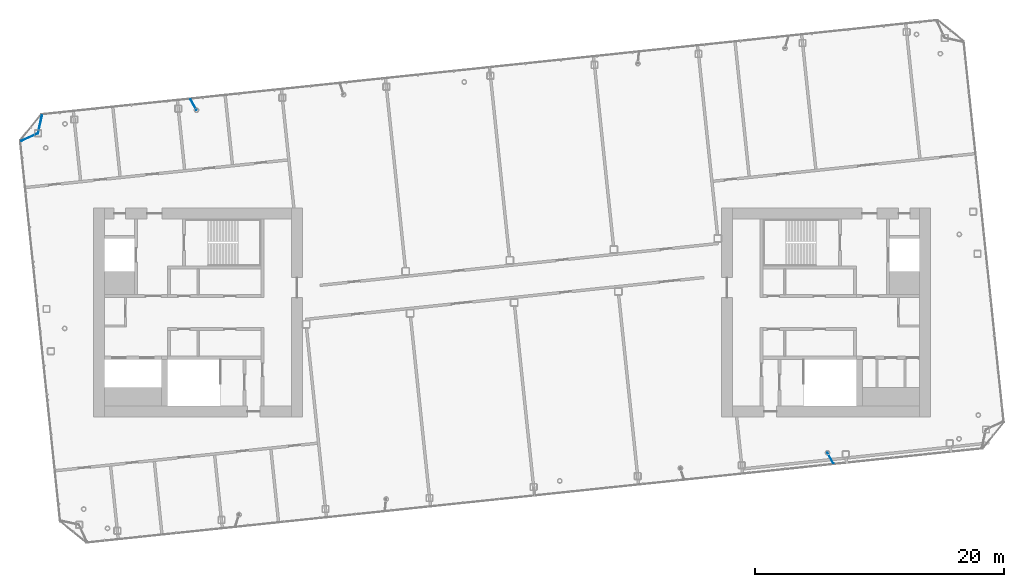
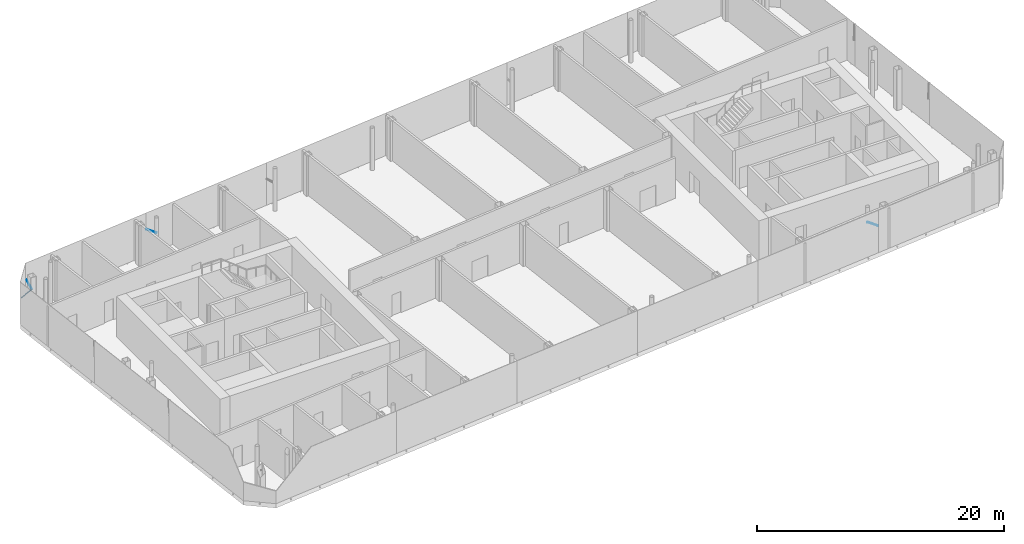
# One storey, part 13 of 28: 4 discrete accessories.
"""IFC4 building model written with IfcOpenShell, lengths in metres."""

from ifc_helpers import new_model, si_unit, direction, frame, origin, origin_2d, place, context, subcontext, project, spatial, rectangle, extrude, material, material_profile, profile_set, type_object, element, save


model = new_model("IFC4")

# Units and contexts
model_context = context("Model", 3, precision=1e-05, world=origin(), true_north=direction((0.0, 1.0)))
body_context = subcontext(model_context, "Body", "Model", "MODEL_VIEW")
ifc_project = project(units=[si_unit("LENGTHUNIT", "METRE"), si_unit("AREAUNIT", "SQUARE_METRE"), si_unit("VOLUMEUNIT", "CUBIC_METRE"), si_unit("PLANEANGLEUNIT", "RADIAN"), si_unit("MASSUNIT", "GRAM", prefix="KILO")], contexts=[model_context])

# Site, building, storey
site_placement = place(None, origin())
site = spatial("IfcSite", under=ifc_project, at=site_placement, CompositionType="ELEMENT")
building_placement = place(site_placement, origin())
building = spatial("IfcBuilding", under=site, at=building_placement, Name="Hakoniwa Tower and Hamabe Station Hall", CompositionType="ELEMENT")
storey_placement = place(building_placement, frame((0.0, 0.0, 280.800048828125)))
storey = spatial("IfcBuildingStorey", under=building, at=storey_placement, Name="L78", CompositionType="ELEMENT", Elevation=280.800048828125)

# Discrete accessories
ifc_material = material(Name="Stainless steel SUS304", Category="steel")
ifc_material_profile = material_profile(ifc_material, rectangle(XDim=0.050048828125, YDim=0.050048828125, at=origin_2d()), Name="CW-4 GLAZING BRACKET 50X50")
ifc_profile_set = profile_set([ifc_material_profile], Name="Stainless steel SUS304")
discrete_accessory_type = type_object("IfcDiscreteAccessoryType", Name="CW-4 GLAZING BRACKET 50X50", PredefinedType="BRACKET", material=ifc_profile_set)
discrete_accessory_1_placement = place(storey_placement, frame((-39.38427734375, 13.7890625, 2.63330078125), z_axis=(0.911178206859, 0.412012469891, 0.0), x_axis=(-0.412012469891, 0.911178206859, 0.0)))
element("IfcDiscreteAccessory", 1, at=discrete_accessory_1_placement, inside=storey, type_object=discrete_accessory_type, Name="Glazing bracket", PredefinedType="BRACKET", context=body_context, shape_type="SweptSolid", body=[
    extrude(rectangle(XDim=0.050048828125, YDim=0.050048828125, at=origin_2d()), origin(), (0.0, 0.0, 1.0), 1.45947265625),
])
discrete_accessory_2_placement = place(storey_placement, frame((-37.737060546875, 15.820556640625, 2.63330078125), z_axis=(-0.216648119974, -0.976249759084, 0.0), x_axis=(0.976249759084, -0.216648119974, 0.0)))
element("IfcDiscreteAccessory", 2, at=discrete_accessory_2_placement, inside=storey, type_object=discrete_accessory_type, Name="Glazing bracket", PredefinedType="BRACKET", context=body_context, shape_type="SweptSolid", body=[
    extrude(rectangle(XDim=0.050048828125, YDim=0.050048828125, at=origin_2d()), origin(), (0.0, 0.0, 1.0), 1.465087890625),
])
for number, where, z_axis, x_axis, name in (
    (3, (-25.79345703125, 17.09375, 2.63330078125), (0.483285889782, -0.875462591284, 0.0), (0.875462591284, 0.483285889782, 0.0), "Glazing bracket"),
    (4, (25.79345703125, -12.09375, 2.63330078125), (-0.483285889782, 0.875462591284, 0.0), (-0.875462591284, -0.483285889782, 0.0), "Glazing bracket"),
):
    element("IfcDiscreteAccessory", number, at=place(storey_placement, frame(where, z_axis=z_axis, x_axis=x_axis)), inside=storey, type_object=discrete_accessory_type, Name=name, PredefinedType="BRACKET", context=body_context, shape_type="SweptSolid", body=[
        extrude(rectangle(XDim=0.050048828125, YDim=0.050048828125, at=origin_2d()), origin(), (0.0, 0.0, 1.0), 0.959228515625),
    ])

save(model, "model.ifc")
